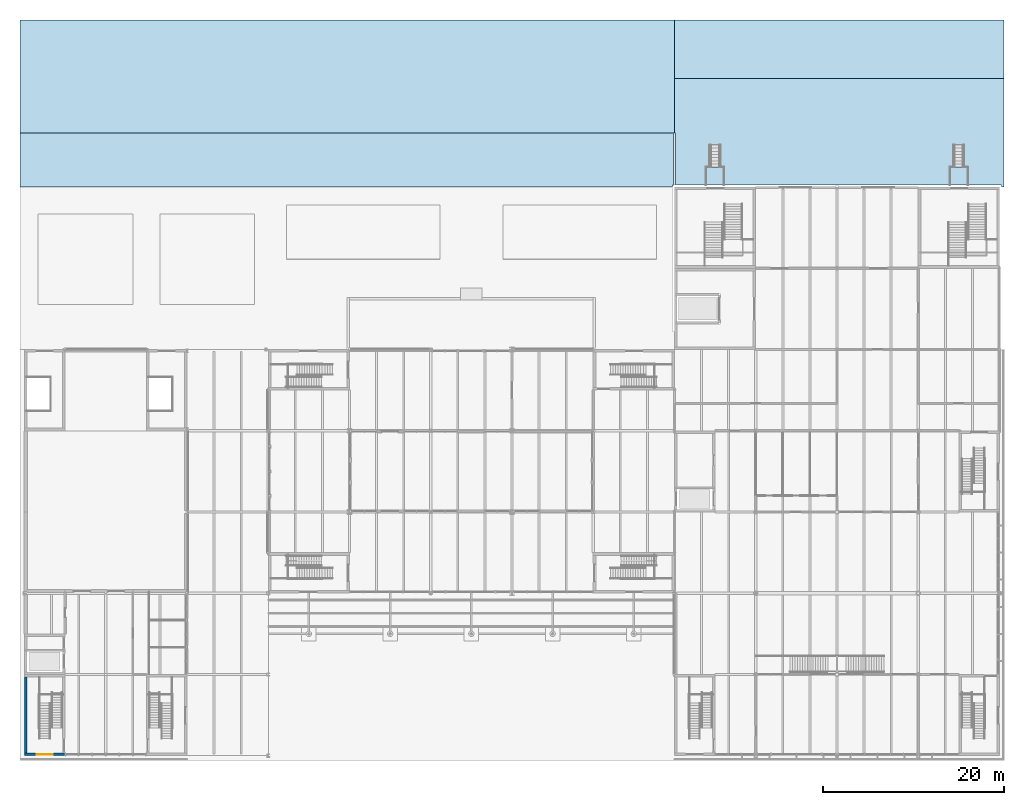
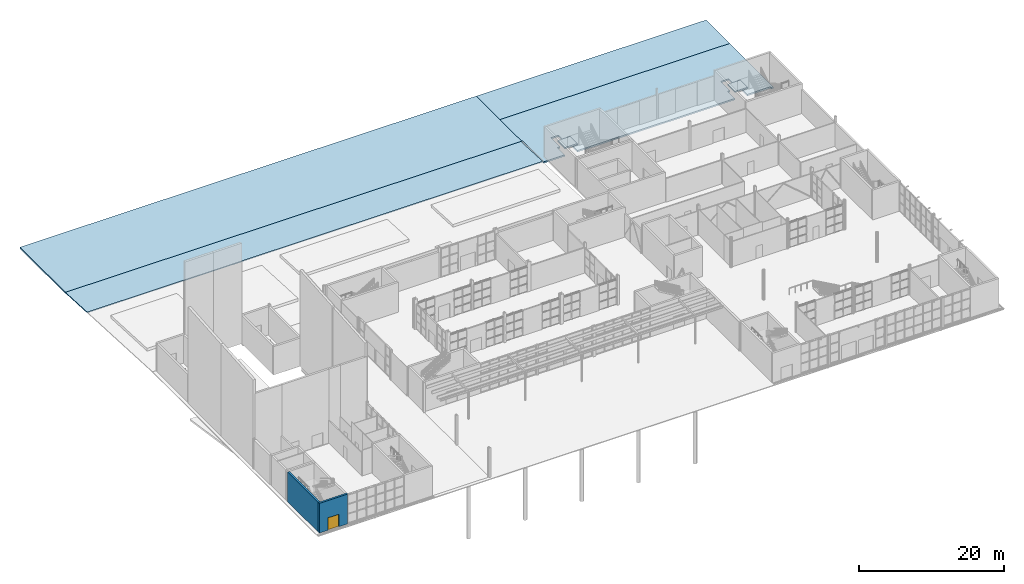
# One storey, part 35 of 63: 6 slabs, 2 walls, 1 door, 1 opening.
"""IFC4 building model written with IfcOpenShell, lengths in metres."""

from ifc_helpers import new_model, si_unit, direction, frame, frame_2d, origin, place, context, subcontext, project, spatial, polyline, rectangle, outline, extrude, material, layer, layer_set, type_object, element, fill, save


model = new_model("IFC4")

# Units and contexts
model_context = context("Model", 3, precision=1e-05, world=origin(), true_north=direction((0.0, 1.0)))
body_context = subcontext(model_context, "Body", "Model", "MODEL_VIEW")
ifc_project = project(units=[si_unit("LENGTHUNIT", "METRE"), si_unit("AREAUNIT", "SQUARE_METRE"), si_unit("VOLUMEUNIT", "CUBIC_METRE"), si_unit("PLANEANGLEUNIT", "RADIAN"), si_unit("MASSUNIT", "GRAM", prefix="KILO")], contexts=[model_context])

# Site, building, storey
site_placement = place(None, origin())
site = spatial("IfcSite", under=ifc_project, at=site_placement, CompositionType="ELEMENT")
building_placement = place(site_placement, origin())
building = spatial("IfcBuilding", under=site, at=building_placement, Name="Halyard Row Museum", CompositionType="ELEMENT")
storey_placement = place(building_placement, origin())
storey = spatial("IfcBuildingStorey", under=building, at=storey_placement, Name="L00", CompositionType="ELEMENT", Elevation=0.0)

# Slabs
ifc_material_1 = material(Name="Concrete 25 MPa", Category="concrete")
ifc_layer_1 = layer(ifc_material_1, 0.25)
ifc_layer_set_1 = layer_set([ifc_layer_1], Name="Concrete 25 MPa")
slab_type_1 = type_object("IfcSlabType", Name="Service yard slab 250", PredefinedType="BASESLAB", material=ifc_layer_set_1)
slab_1_placement = place(storey_placement, frame((0.0, 0.0, -1.449951171875)))
element("IfcSlab", 1, at=slab_1_placement, inside=storey, type_object=slab_type_1, Name="Service yard slab west", PredefinedType="BASESLAB", context=body_context, shape_type="SweptSolid", body=[
    extrude(outline(polyline([(-0.5, 69.0), (-0.5, 81.5), (72.0, 81.5), (72.0, 69.0), (71.875, 69.0), (-0.5, 69.0)])), origin(), (0.0, 0.0, 1.0), 0.25),
])
slab_2_placement = place(storey_placement, frame((0.0, 0.0, -1.449951171875)))
element("IfcSlab", 2, at=slab_2_placement, inside=storey, type_object=slab_type_1, Name="Dock apron slab", PredefinedType="BASESLAB", context=body_context, shape_type="SweptSolid", body=[
    extrude(outline(polyline([(72.0, 75.0), (108.5, 75.0), (108.5, 63.0), (108.199951171875, 63.0), (108.199951171875, 63.199951171875), (104.5, 63.199951171875), (104.5, 65.199951171875), (104.110107421875, 65.199951171875), (104.110107421875, 67.699951171875), (102.889892578125, 67.699951171875), (102.889892578125, 65.199951171875), (102.5, 65.199951171875), (102.5, 63.199951171875), (77.5, 63.199951171875), (77.5, 65.199951171875), (77.110107421875, 65.199951171875), (77.110107421875, 67.699951171875), (75.889892578125, 67.699951171875), (75.889892578125, 65.199951171875), (75.5, 65.199951171875), (75.5, 63.199951171875), (72.125, 63.199951171875), (72.125, 69.0), (72.0, 69.0), (72.0, 75.0)])), origin(), (0.0, 0.0, 1.0), 0.25),
])
slab_3_placement = place(storey_placement, frame((0.0, 0.0, -1.449951171875)))
element("IfcSlab", 3, at=slab_3_placement, inside=storey, type_object=slab_type_1, Name="Service yard slab east", PredefinedType="BASESLAB", context=body_context, shape_type="SweptSolid", body=[
    extrude(outline(polyline([(72.0, 75.0), (72.0, 81.5), (108.5, 81.5), (108.5, 75.0), (72.0, 75.0)])), origin(), (0.0, 0.0, 1.0), 0.25),
])
ifc_material_2 = material(Name="Concrete 25 MPa", Category="concrete")
ifc_layer_2 = layer(ifc_material_2, 0.14990234375)
ifc_layer_set_2 = layer_set([ifc_layer_2], Name="Concrete 25 MPa")
slab_type_2 = type_object("IfcSlabType", Name="Site paving slab 150", PredefinedType="BASESLAB", material=ifc_layer_set_2)
slab_4_placement = place(storey_placement, frame((-0.5, 63.0, -0.89990234375), z_axis=(7.3002e-08, 0.049945722718, 0.998751933556), x_axis=(0.0, 0.998751933556, -0.049945722718)))
element("IfcSlab", 4, at=slab_4_placement, inside=storey, type_object=slab_type_2, Name="Yard fall paving", PredefinedType="BASESLAB", context=body_context, shape_type="SweptSolid", body=[
    extrude(outline(polyline([(0.0, 0.0), (6.007497756908378, 3.308722450212111e-24), (6.007497756908387, -72.3749999999998), (0.20020156450536522, -72.37500000000057), (0.2002015645053652, -72.30004882812557), (9.614316581759471e-15, -72.3000488281248), (0.0, 0.0)])), origin(), (0.0, 0.0, -1.0), 0.14990234375),
])
ifc_material_3 = material(Name="Concrete 40 MPa", Category="concrete")
ifc_layer_3 = layer(ifc_material_3, 0.199951171875)
ifc_layer_set_3 = layer_set([ifc_layer_3], Name="Concrete 40 MPa")
slab_type_3 = type_object("IfcSlabType", Name="Step landing slab 200", PredefinedType="LANDING", material=ifc_layer_set_3)
slab_5_placement = place(storey_placement, frame((0.0, 0.0, -0.199951171875)))
element("IfcSlab", 5, at=slab_5_placement, inside=storey, type_object=slab_type_3, Name="Step landing K5A", PredefinedType="LANDING", context=body_context, shape_type="SweptSolid", body=[
    extrude(outline(polyline([(75.5, 63.199951171875), (77.5, 63.199951171875), (77.5, 65.199951171875), (75.5, 65.199951171875), (75.5, 63.199951171875)])), origin(), (0.0, 0.0, 1.0), 0.199951171875),
])
slab_6_placement = place(storey_placement, frame((0.0, 0.0, -0.199951171875)))
element("IfcSlab", 6, at=slab_6_placement, inside=storey, type_object=slab_type_3, Name="Step landing K5B", PredefinedType="LANDING", context=body_context, shape_type="SweptSolid", body=[
    extrude(outline(polyline([(102.5, 63.199951171875), (104.5, 63.199951171875), (104.5, 65.199951171875), (102.5, 65.199951171875), (102.5, 63.199951171875)])), origin(), (0.0, 0.0, 1.0), 0.199951171875),
])

# Wall, opening, door
ifc_material_4 = material(Name="Concrete 40 MPa", Category="concrete")
ifc_layer_4 = layer(ifc_material_4, 0.300048828125)
ifc_layer_set_4 = layer_set([ifc_layer_4], Name="Concrete 40 MPa")
wall_type = type_object("IfcWallType", Name="Exitway wall 300 reinforced concrete", PredefinedType="SOLIDWALL", material=ifc_layer_set_4)
wall_1_placement = place(storey_placement, frame((0.0, 0.14990234375, 0.0), z_axis=(0.0, 0.0, 1.0), x_axis=(1.0, 0.0, 0.0)))
wall_1 = element("IfcWall", 7, at=wall_1_placement, inside=storey, type_object=wall_type, Name="Core wall K3S S L00", PredefinedType="SOLIDWALL", context=body_context, shape_type="SweptSolid", body=[
    extrude(rectangle(XDim=4.5, YDim=0.300048828125, at=frame_2d((2.25, 0.0))), origin(), (0.0, 0.0, 1.0), 5.0),
])
opening_placement = place(wall_1_placement, frame((1.35009765625, 0.0, 0.0)))
opening = element("IfcOpeningElement", 8, at=opening_placement, cuts=wall_1, Name="Opening DL00-018", PredefinedType="OPENING", context=body_context, shape_type="SweptSolid", body=[
    extrude(rectangle(XDim=1.800048828125, YDim=2.10009765625, at=frame_2d((0.89990234375, 1.050048828125))), frame((0.0, 0.159912109375, 0.0), z_axis=(0.0, -1.0, 0.0), x_axis=(1.0, 0.0, 0.0)), (0.0, 0.0, 1.0), 0.320068359375),
])
ifc_material_5 = material(Name="Fire-resisting timber door leaf and steel frame", Category="steel")
door_type = type_object("IfcDoorType", Name="Exitway door 1800 x 2100 fire rated", OperationType="NOTDEFINED", PredefinedType="DOOR", material=ifc_material_5)
door_placement = place(opening_placement, frame((1.800048828125, 0.0, 0.0), z_axis=(0.0, 0.0, 1.0), x_axis=(-1.0, 0.0, 0.0)))
door = element("IfcDoor", 9, at=door_placement, inside=storey, type_object=door_type, Name="Exitway door K3S exit", OperationType="DOUBLE_DOOR_SINGLE_SWING", OverallHeight=2.10009765625, OverallWidth=1.800048828125, PredefinedType="DOOR", context=body_context, shape_type="SweptSolid", body=[
    extrude(rectangle(XDim=1.800048828125, YDim=2.10009765625, at=frame_2d((0.89990234375, 1.050048828125))), frame((0.0, 0.02490234375, 0.0), z_axis=(0.0, -1.0, 0.0), x_axis=(1.0, 0.0, 0.0)), (0.0, 0.0, 1.0), 0.050048828125),
])
fill(opening, door)

# Wall
wall_2_placement = place(storey_placement, frame((0.14990234375, 0.300048828125, 0.0), z_axis=(0.0, 0.0, 1.0), x_axis=(0.0, 1.0, 0.0)))
element("IfcWall", 10, at=wall_2_placement, inside=storey, type_object=wall_type, Name="Core wall K3S W L00", PredefinedType="SOLIDWALL", context=body_context, shape_type="SweptSolid", body=[
    extrude(rectangle(XDim=8.39990234375, YDim=0.300048828125, at=frame_2d((4.199951171875, 0.0))), origin(), (0.0, 0.0, 1.0), 5.0),
])

save(model, "model.ifc")
